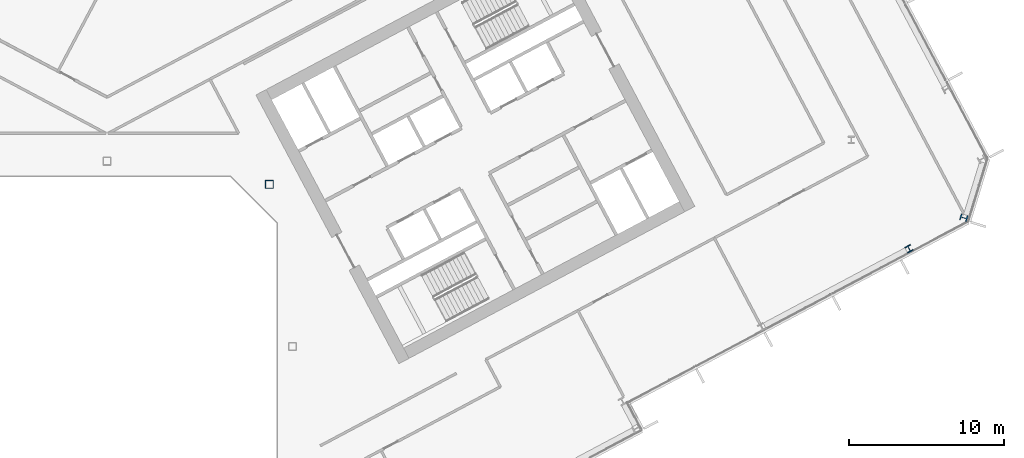
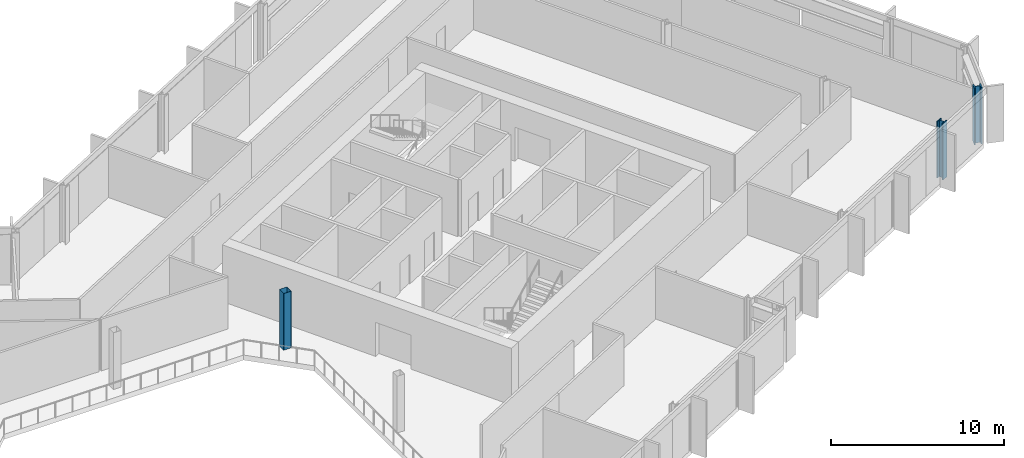
# One storey, part 6 of 28: 3 columns.
"""IFC4 building model written with IfcOpenShell, lengths in metres."""

import ifcopenshell
import ifcopenshell.guid

model = None  # the IFC model being written
_history = None  # IfcOwnerHistory: only IFC2X3 demands one
_inside = {}  # id of a spatial element -> (the spatial element, [elements in it])
_under = {}  # id of a project, library or spatial element -> (it, [spatial elements below it])
_declared = {}  # id of a project -> (the project, [libraries it declares])
_typed = {}  # id of a type object -> (the type object, [elements of that type])
_made_of = {}  # id of a material, layer set ... -> (it, [elements and type objects made of it])


def new_model(schema):
    """Start an empty IFC model of exactly this schema.

    Asked for "IFC4X3", IfcOpenShell would pick the latest addendum, in which some entities
    have other attributes; the version numbers below select the first issue.
    IFC2X3 requires an IfcOwnerHistory on every rooted entity: one is made here for all.
    """
    global model, _history
    if schema == "IFC4X3":
        model = ifcopenshell.file(schema_version=(4, 3, 0, 0))
    else:
        model = ifcopenshell.file(schema=schema)
    _inside.clear()
    _under.clear()
    _declared.clear()
    _typed.clear()
    _made_of.clear()
    _history = None
    if model.schema == "IFC2X3":
        org = make("IfcOrganization", Name="unknown")
        user = make(
            "IfcPersonAndOrganization",
            ThePerson=make("IfcPerson", FamilyName="unknown"),
            TheOrganization=org,
        )
        app = make(
            "IfcApplication",
            ApplicationDeveloper=org,
            Version="unknown",
            ApplicationFullName="unknown",
            ApplicationIdentifier="unknown",
        )
        _history = make(
            "IfcOwnerHistory",
            OwningUser=user,
            OwningApplication=app,
            ChangeAction="ADDED",
            CreationDate=0,
        )
    return model


def make(cls, **values):
    """One entity of the class cls with the attributes given. An attribute that is None is left unset."""
    return model.create_entity(
        cls, **{name: value for name, value in values.items() if value is not None}
    )


def rooted(cls, **values):
    """An entity with a GlobalId (a new one), such as an element, a storey or a relation."""
    return make(cls, GlobalId=ifcopenshell.guid.new(), OwnerHistory=_history, **values)


def si_unit(unit_type, name, prefix=None):
    """IfcSIUnit, for example si_unit("LENGTHUNIT", "METRE", prefix="MILLI")."""
    return make("IfcSIUnit", UnitType=unit_type, Prefix=prefix, Name=name)


def assignment(units):
    """IfcUnitAssignment: the units of a project."""
    return None if units is None else make("IfcUnitAssignment", Units=units)


def point(xyz):
    """IfcCartesianPoint."""
    return None if xyz is None else make("IfcCartesianPoint", Coordinates=xyz)


def direction(xyz):
    """IfcDirection."""
    return None if xyz is None else make("IfcDirection", DirectionRatios=xyz)


def frame(location, z_axis=None, x_axis=None):
    """IfcAxis2Placement3D, a coordinate frame: its origin and axes. An axis left out is left unset."""
    return make(
        "IfcAxis2Placement3D",
        Location=point(location),
        Axis=direction(z_axis),
        RefDirection=direction(x_axis),
    )


def frame_2d(location, x_axis=None):
    """IfcAxis2Placement2D, a coordinate frame in the plane: its origin and x axis."""
    return make(
        "IfcAxis2Placement2D", Location=point(location), RefDirection=direction(x_axis)
    )


def origin():
    """The frame at (0, 0, 0) with its axes left unset."""
    return frame((0.0, 0.0, 0.0))


def origin_2d():
    """The frame at (0, 0) in the plane with its x axis left unset."""
    return frame_2d((0.0, 0.0))


def place(relative_to, where):
    """IfcLocalPlacement: puts the frame where relative to a parent placement (None: the world)."""
    return make(
        "IfcLocalPlacement", PlacementRelTo=relative_to, RelativePlacement=where
    )


def context(
    kind, dimensions, precision=None, world=None, true_north=None, identifier=None
):
    """IfcGeometricRepresentationContext, for example the 3D "Model" context."""
    return make(
        "IfcGeometricRepresentationContext",
        ContextIdentifier=identifier,
        ContextType=kind,
        CoordinateSpaceDimension=dimensions,
        Precision=precision,
        WorldCoordinateSystem=world,
        TrueNorth=true_north,
    )


def subcontext(parent, identifier, kind, view, scale=None):
    """IfcGeometricRepresentationSubContext, for example "Body" below "Model"."""
    return make(
        "IfcGeometricRepresentationSubContext",
        ContextIdentifier=identifier,
        ContextType=kind,
        ParentContext=parent,
        TargetScale=scale,
        TargetView=view,
    )


def project(units=None, contexts=None):
    """IfcProject with its units and contexts."""
    return rooted(
        "IfcProject",
        Name="project",
        RepresentationContexts=contexts,
        UnitsInContext=assignment(units),
    )


def spatial(cls, under=None, at=None, **own):
    """A site, building, storey or space (cls), placed at a placement, below another one or the project."""
    s = rooted(cls, ObjectPlacement=at, **own)
    if under is not None:
        _under.setdefault(under.id(), (under, []))[1].append(s)
    return s


def profile(cls, at=None, kind="AREA", **sizes):
    """A parametric profile (cls). Its sizes go by their IFC names, for example OverallWidth=200.0."""
    return make(cls, ProfileType=kind, Position=at, **sizes)


def hollow_rectangle(**sizes):
    """IfcRectangleHollowProfileDef."""
    return profile("IfcRectangleHollowProfileDef", **sizes)


def i_section(**sizes):
    """IfcIShapeProfileDef."""
    return profile("IfcIShapeProfileDef", **sizes)


def extrude(swept, where, along, depth):
    """IfcExtrudedAreaSolid: the profile swept, set in the frame where, extruded along a direction by depth."""
    return make(
        "IfcExtrudedAreaSolid",
        SweptArea=swept,
        Position=where,
        ExtrudedDirection=direction(along),
        Depth=depth,
    )


def shape(context_of_items, identifier, shape_type, items):
    """IfcShapeRepresentation: the items that make up one representation, for example the "Body"."""
    return make(
        "IfcShapeRepresentation",
        ContextOfItems=context_of_items,
        RepresentationIdentifier=identifier,
        RepresentationType=shape_type,
        Items=items,
    )


def material(Name=None, Category=None):
    """IfcMaterial."""
    return make("IfcMaterial", Name=Name, Category=Category)


def material_profile(
    of_material, cross_section, Name=None, Category=None, Priority=None
):
    """IfcMaterialProfile: a cross section and its material."""
    return make(
        "IfcMaterialProfile",
        Name=Name,
        Material=of_material,
        Profile=cross_section,
        Priority=Priority,
        Category=Category,
    )


def profile_set(profiles, Name=None, composite=None):
    """IfcMaterialProfileSet."""
    return make(
        "IfcMaterialProfileSet",
        Name=Name,
        MaterialProfiles=profiles,
        CompositeProfile=composite,
    )


def made_of(thing, what):
    """Note that an element or type object is made of a material, layer set ...; save() writes the relation."""
    if what is not None:
        _made_of.setdefault(what.id(), (what, []))[1].append(thing)
    return thing


def type_object(cls, material=None, **own):
    """A type object (cls), such as IfcWallType, which elements share."""
    return made_of(rooted(cls, **own), material)


def element(
    cls,
    number,
    at=None,
    inside=None,
    cuts=None,
    type_object=None,
    material=None,
    context=None,
    identifier="Body",
    shape_type=None,
    held_by="IfcProductDefinitionShape",
    body=None,
    shapes=None,
    **own,
):
    """One element of the class cls, such as IfcWall. Its Tag is "e" and its number.

    at: its placement. inside: the storey or other place that contains it. cuts: it is an
    opening in that element (IfcRelVoidsElement). A single representation is given by context,
    identifier, shape_type and body (its items); several are given by shapes. held_by: the class
    of the entity that holds the representations. save() writes the other relations.
    """
    e = rooted(cls, Tag="e%d" % number, ObjectPlacement=at, **own)
    if body is not None:
        shapes = [shape(context, identifier, shape_type, body)]
    if shapes is not None:
        e.Representation = make(held_by, Representations=shapes)
    if inside is not None:
        _inside.setdefault(inside.id(), (inside, []))[1].append(e)
    if cuts is not None:
        rooted(
            "IfcRelVoidsElement", RelatingBuildingElement=cuts, RelatedOpeningElement=e
        )
    if type_object is not None:
        _typed.setdefault(type_object.id(), (type_object, []))[1].append(e)
    return made_of(e, material)


def aggregate(whole, parts):
    """IfcRelAggregates: a whole, such as a stair, and the parts it consists of."""
    return rooted("IfcRelAggregates", RelatingObject=whole, RelatedObjects=parts)


def save(model, path):
    """Write the relations noted so far, then the file.

    IfcRelAggregates (storeys below a building ...), IfcRelContainedInSpatialStructure (elements
    in a storey), IfcRelDefinesByType, IfcRelAssociatesMaterial and IfcRelDeclares: one each for
    every whole, place, type object, material and project.
    """
    for whole, parts in _under.values():
        aggregate(whole, parts)
    for where, things in _inside.values():
        rooted(
            "IfcRelContainedInSpatialStructure",
            RelatedElements=things,
            RelatingStructure=where,
        )
    for kind, things in _typed.values():
        rooted("IfcRelDefinesByType", RelatedObjects=things, RelatingType=kind)
    for what, things in _made_of.values():
        rooted("IfcRelAssociatesMaterial", RelatedObjects=things, RelatingMaterial=what)
    for by, libraries in _declared.values():
        rooted("IfcRelDeclares", RelatingContext=by, RelatedDefinitions=libraries)
    model.write(path)


model = new_model("IFC4")

# Units and contexts
model_context = context("Model", 3, precision=1e-05, world=origin(), true_north=direction((0.0, 1.0)))
body_context = subcontext(model_context, "Body", "Model", "MODEL_VIEW")
ifc_project = project(units=[si_unit("LENGTHUNIT", "METRE"), si_unit("AREAUNIT", "SQUARE_METRE"), si_unit("VOLUMEUNIT", "CUBIC_METRE"), si_unit("PLANEANGLEUNIT", "RADIAN"), si_unit("MASSUNIT", "GRAM", prefix="KILO")], contexts=[model_context])

# Site, building, storey
site_placement = place(None, origin())
site = spatial("IfcSite", under=ifc_project, at=site_placement, CompositionType="ELEMENT")
building_placement = place(site_placement, origin())
building = spatial("IfcBuilding", under=site, at=building_placement, Name="Cormorant Relay Tower", CompositionType="ELEMENT")
storey_placement = place(building_placement, frame((0.0, 0.0, 138.199951171875)))
storey = spatial("IfcBuildingStorey", under=building, at=storey_placement, Name="L28", CompositionType="ELEMENT", Elevation=138.199951171875)

# Columns
ifc_material_1 = material(Name="Steel ASTM A500 Grade C (Fy 345 MPa)", Category="steel")
ifc_material_profile_1 = material_profile(ifc_material_1, hollow_rectangle(XDim=0.508056640625, YDim=0.508056640625, WallThickness=0.01171875, InnerFilletRadius=0.005859375, OuterFilletRadius=0.017822265625, at=origin_2d()), Name="HSS508x508x12")
ifc_profile_set_1 = profile_set([ifc_material_profile_1], Name="Steel ASTM A500 Grade C (Fy 345 MPa)")
column_type_1 = type_object("IfcColumnType", Name="Column HSS508x508x12", PredefinedType="COLUMN", material=ifc_profile_set_1)
column_1_placement = place(storey_placement, frame((10.5, 10.5, 0.0), z_axis=(0.0, 0.0, 1.0), x_axis=(1.0, 0.0, 0.0)))
element("IfcColumn", 1, at=column_1_placement, inside=storey, type_object=column_type_1, Name="Column L28-024", PredefinedType="COLUMN", context=body_context, shape_type="SweptSolid", body=[
    extrude(hollow_rectangle(XDim=0.508056640625, YDim=0.508056640625, WallThickness=0.01171875, InnerFilletRadius=0.005859375, OuterFilletRadius=0.017822265625, at=origin_2d()), origin(), (0.0, 0.0, 1.0), 4.0),
])
ifc_material_2 = material(Name="Steel ASTM A992 (Fy 345 MPa)", Category="steel")
ifc_material_profile_2 = material_profile(ifc_material_2, i_section(OverallWidth=0.41162109375, OverallDepth=0.434326171875, WebThickness=0.035888671875, FlangeThickness=0.057373046875, FilletRadius=0.01513671875, at=origin_2d()), Name="W360x463")
ifc_profile_set_2 = profile_set([ifc_material_profile_2], Name="Steel ASTM A992 (Fy 345 MPa)")
column_type_2 = type_object("IfcColumnType", Name="Column W360x463", PredefinedType="COLUMN", material=ifc_profile_set_2)
column_2_placement = place(storey_placement, frame((51.905029296875, 6.327880859375, 0.0), z_axis=(0.0, 0.0, 1.0), x_axis=(0.882947592859, 0.469471562786, 0.0)))
element("IfcColumn", 2, at=column_2_placement, inside=storey, type_object=column_type_2, Name="Column L28-020", PredefinedType="COLUMN", context=body_context, shape_type="SweptSolid", body=[
    extrude(i_section(OverallWidth=0.41162109375, OverallDepth=0.434326171875, WebThickness=0.035888671875, FlangeThickness=0.057373046875, FilletRadius=0.01513671875, at=origin_2d()), origin(), (0.0, 0.0, 1.0), 4.0),
])
ifc_material_3 = material(Name="Steel ASTM A992 (Fy 345 MPa)", Category="steel")
ifc_material_profile_3 = material_profile(ifc_material_3, i_section(OverallWidth=0.42431640625, OverallDepth=0.47509765625, WebThickness=0.0478515625, FlangeThickness=0.0771484375, FilletRadius=0.014892578125, at=origin_2d()), Name="W360x634")
ifc_profile_set_3 = profile_set([ifc_material_profile_3], Name="Steel ASTM A992 (Fy 345 MPa)")
column_type_3 = type_object("IfcColumnType", Name="Column W360x634", PredefinedType="COLUMN", material=ifc_profile_set_3)
column_3_placement = place(storey_placement, frame((55.446044921875, 8.3291015625, 0.0), z_axis=(0.0, 0.0, 1.0), x_axis=(0.292371704723, 0.956304755963, 0.0)))
element("IfcColumn", 3, at=column_3_placement, inside=storey, type_object=column_type_3, Name="Column L28-021", PredefinedType="COLUMN", context=body_context, shape_type="SweptSolid", body=[
    extrude(i_section(OverallWidth=0.42431640625, OverallDepth=0.47509765625, WebThickness=0.0478515625, FlangeThickness=0.0771484375, FilletRadius=0.014892578125, at=origin_2d()), origin(), (0.0, 0.0, 1.0), 4.0),
])

save(model, "model.ifc")
